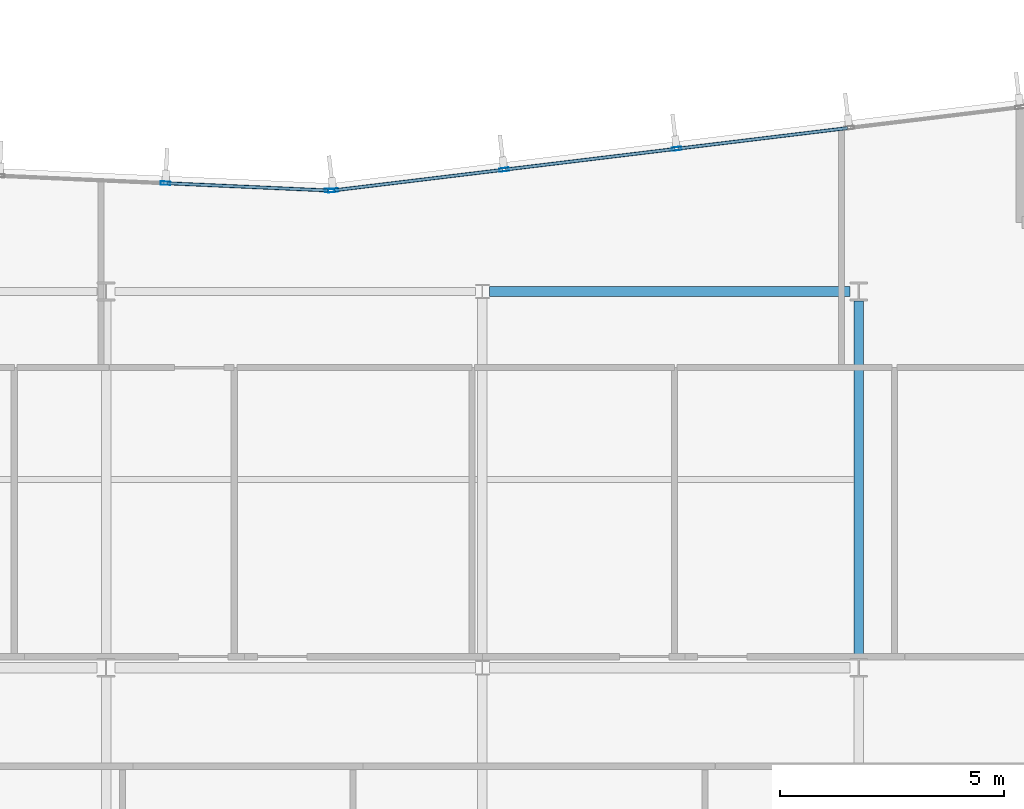
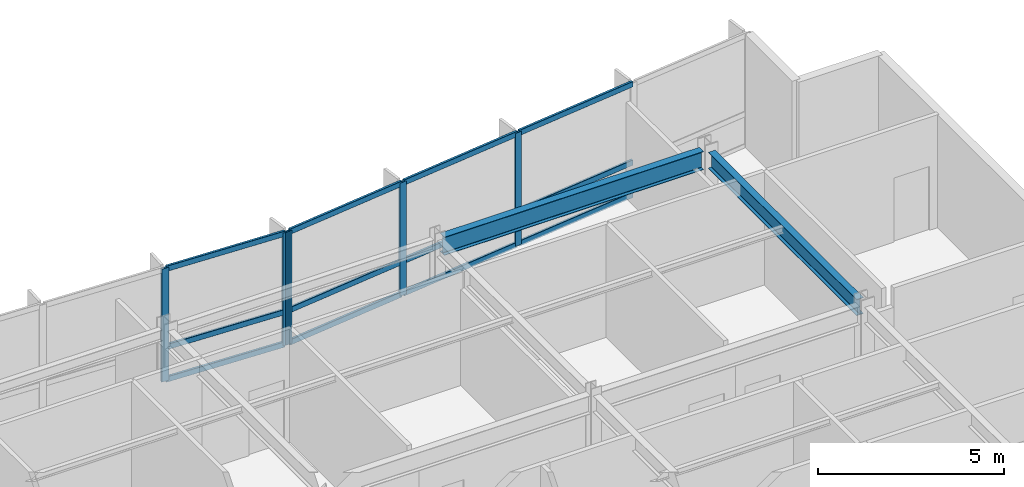
# One storey, part 6 of 17: 17 members, 2 beams, 2 elements without a shape of their own.
"""IFC4 building model written with IfcOpenShell, lengths in metres."""

from ifc_helpers import new_model, si_unit, direction, frame, origin, origin_2d, place, context, subcontext, project, spatial, hollow_rectangle, i_section, extrude, material, layer, layer_set, material_profile, profile_set, type_object, element, aggregate, save


model = new_model("IFC4")

# Units and contexts
model_context = context("Model", 3, precision=1e-05, world=origin(), true_north=direction((0.0, 1.0)))
body_context = subcontext(model_context, "Body", "Model", "MODEL_VIEW")
ifc_project = project(units=[si_unit("LENGTHUNIT", "METRE"), si_unit("AREAUNIT", "SQUARE_METRE"), si_unit("VOLUMEUNIT", "CUBIC_METRE"), si_unit("PLANEANGLEUNIT", "RADIAN"), si_unit("MASSUNIT", "GRAM", prefix="KILO")], contexts=[model_context])

# Site, building, storey
site_placement = place(None, origin())
site = spatial("IfcSite", under=ifc_project, at=site_placement, CompositionType="ELEMENT")
building_placement = place(site_placement, origin())
building = spatial("IfcBuilding", under=site, at=building_placement, Name="Varnakote Quay Hospital", CompositionType="ELEMENT")
storey_placement = place(building_placement, frame((0.0, 0.0, 134.949951171875)))
storey = spatial("IfcBuildingStorey", under=building, at=storey_placement, Name="L33", CompositionType="ELEMENT", Elevation=134.949951171875)

# Beams
ifc_material_1 = material(Name="Structural steel AS/NZS 3679.1 Grade 350 L0 (fy 340 MPa)", Category="steel")
ifc_material_profile_1 = material_profile(ifc_material_1, i_section(OverallWidth=0.208984375, OverallDepth=0.532958984375, WebThickness=0.01025390625, FlangeThickness=0.015625, FilletRadius=0.013916015625, at=origin_2d()), Name="530UB92.4")
ifc_profile_set_1 = profile_set([ifc_material_profile_1], Name="Structural steel AS/NZS 3679.1 Grade 350 L0 (fy 340 MPa)")
beam_type_1 = type_object("IfcBeamType", Name="BM-STL-530UB92-4", PredefinedType="BEAM", material=ifc_profile_set_1)
beam_1_placement = place(storey_placement, frame((50.39990234375, 20.610107421875, 3.443603515625), z_axis=(0.0, 1.0, 0.0), x_axis=(-1.0, 0.0, 0.0)))
element("IfcBeam", 1, at=beam_1_placement, inside=storey, type_object=beam_type_1, Name="L33 Primary Tie Beam", PredefinedType="BEAM", context=body_context, shape_type="SweptSolid", body=[
    extrude(i_section(OverallWidth=0.208984375, OverallDepth=0.532958984375, WebThickness=0.01025390625, FlangeThickness=0.015625, FilletRadius=0.013916015625, at=origin_2d()), origin(), (0.0, 0.0, 1.0), 7.97998046875),
])
ifc_material_2 = material(Name="Structural steel AS/NZS 3679.1 Grade 350 L0 (fy 340 MPa)", Category="steel")
ifc_material_profile_2 = material_profile(ifc_material_2, i_section(OverallWidth=0.22802734375, OverallDepth=0.60205078125, WebThickness=0.010498046875, FlangeThickness=0.014892578125, FilletRadius=0.013916015625, at=origin_2d()), Name="610UB101")
ifc_profile_set_2 = profile_set([ifc_material_profile_2], Name="Structural steel AS/NZS 3679.1 Grade 350 L0 (fy 340 MPa)")
beam_type_2 = type_object("IfcBeamType", Name="BM-STL-610UB101", PredefinedType="BEAM", material=ifc_profile_set_2)
beam_2_placement = place(storey_placement, frame((42.154541015625, 28.800048828125, 3.408935546875), z_axis=(1.0, 0.0, 0.0), x_axis=(0.0, 1.0, 0.0)))
element("IfcBeam", 2, at=beam_2_placement, inside=storey, type_object=beam_type_2, Name="L33 Primary Floor Beam", PredefinedType="BEAM", context=body_context, shape_type="SweptSolid", body=[
    extrude(i_section(OverallWidth=0.22802734375, OverallDepth=0.60205078125, WebThickness=0.010498046875, FlangeThickness=0.014892578125, FilletRadius=0.013916015625, at=origin_2d()), origin(), (0.0, 0.0, 1.0), 8.04541015625),
])

# Curtain wall, members
ifc_material_3 = material(Name="Anodised aluminium 6063-T6 Bronze", Category="aluminium")
ifc_layer = layer(ifc_material_3, 0.205078125)
ifc_layer_set = layer_set([ifc_layer], Name="Anodised aluminium 6063-T6 Bronze")
curtain_wall_type = type_object("IfcCurtainWallType", Name="CW-SYS-3", PredefinedType="NOTDEFINED", material=ifc_layer_set)
curtain_wall_1_placement = place(storey_placement, origin())
curtain_wall_1 = element("IfcCurtainWall", 3, at=curtain_wall_1_placement, inside=storey, type_object=curtain_wall_type, Name="L33 Unitised Bronze Curtain Wall 1", PredefinedType="NOTDEFINED")
ifc_material_4 = material(Name="Anodised aluminium 6063-T6 Bronze", Category="aluminium")
ifc_material_profile_3 = material_profile(ifc_material_4, hollow_rectangle(XDim=0.074951171875, YDim=0.219970703125, WallThickness=0.00439453125, InnerFilletRadius=0.00439453125, OuterFilletRadius=0.009033203125, at=origin_2d()), Name="CW-MULL-220x75")
ifc_profile_set_3 = profile_set([ifc_material_profile_3], Name="Anodised aluminium 6063-T6 Bronze")
member_type_1 = type_object("IfcMemberType", Name="CW-MULL-220x75", PredefinedType="MULLION", material=ifc_profile_set_3)
member_1_placement = place(storey_placement, frame((46.3349609375, 31.985595703125, 0.0), z_axis=(0.0, 0.0, 1.0), x_axis=(0.12032713492, -0.992734295067, 0.0)))
member_1 = element("IfcMember", 4, at=member_1_placement, type_object=member_type_1, Name="-3-L33-1 mullion 3", PredefinedType="MULLION", context=body_context, shape_type="SweptSolid", body=[
    extrude(hollow_rectangle(XDim=0.074951171875, YDim=0.219970703125, WallThickness=0.00439453125, InnerFilletRadius=0.00439453125, OuterFilletRadius=0.009033203125, at=origin_2d()), origin(), (0.0, 0.0, 1.0), 3.7099609375),
])
member_2_placement = place(storey_placement, frame((42.482666015625, 31.5185546875, 0.0), z_axis=(0.0, 0.0, 1.0), x_axis=(0.12032713492, -0.992734295067, 0.0)))
member_2 = element("IfcMember", 5, at=member_2_placement, type_object=member_type_1, Name="-3-L33-1 mullion 4", PredefinedType="MULLION", context=body_context, shape_type="SweptSolid", body=[
    extrude(hollow_rectangle(XDim=0.074951171875, YDim=0.219970703125, WallThickness=0.00439453125, InnerFilletRadius=0.00439453125, OuterFilletRadius=0.009033203125, at=origin_2d()), origin(), (0.0, 0.0, 1.0), 3.7099609375),
])
member_3_placement = place(storey_placement, frame((38.667236328125, 31.05615234375, 0.0), z_axis=(0.0, 0.0, 1.0), x_axis=(0.12032713492, -0.992734295067, 0.0)))
member_3 = element("IfcMember", 6, at=member_3_placement, type_object=member_type_1, Name="-3-L33-1 mullion 5", PredefinedType="MULLION", context=body_context, shape_type="SweptSolid", body=[
    extrude(hollow_rectangle(XDim=0.074951171875, YDim=0.219970703125, WallThickness=0.00439453125, InnerFilletRadius=0.00439453125, OuterFilletRadius=0.009033203125, at=origin_2d()), origin(), (0.0, 0.0, 1.0), 3.7099609375),
])

curtain_wall_2_placement = place(storey_placement, origin())
curtain_wall_2 = element("IfcCurtainWall", 7, at=curtain_wall_2_placement, inside=storey, type_object=curtain_wall_type, Name="L33 Unitised Bronze Curtain Wall 2", PredefinedType="NOTDEFINED")
member_4_placement = place(storey_placement, frame((38.592529296875, 31.05322265625, 0.0), z_axis=(0.0, 0.0, 1.0), x_axis=(-0.044782334659, -0.998996768014, 0.0)))
member_4 = element("IfcMember", 8, at=member_4_placement, type_object=member_type_1, Name="-3-L33-2 mullion 1", PredefinedType="MULLION", context=body_context, shape_type="SweptSolid", body=[
    extrude(hollow_rectangle(XDim=0.074951171875, YDim=0.219970703125, WallThickness=0.00439453125, InnerFilletRadius=0.00439453125, OuterFilletRadius=0.009033203125, at=origin_2d()), origin(), (0.0, 0.0, 1.0), 3.7099609375),
])
member_5_placement = place(storey_placement, frame((34.927001953125, 31.217529296875, 0.0), z_axis=(0.0, 0.0, 1.0), x_axis=(-0.044782334659, -0.998996768014, 0.0)))
member_5 = element("IfcMember", 9, at=member_5_placement, type_object=member_type_1, Name="-3-L33-2 mullion 2", PredefinedType="MULLION", context=body_context, shape_type="SweptSolid", body=[
    extrude(hollow_rectangle(XDim=0.074951171875, YDim=0.219970703125, WallThickness=0.00439453125, InnerFilletRadius=0.00439453125, OuterFilletRadius=0.009033203125, at=origin_2d()), origin(), (0.0, 0.0, 1.0), 3.7099609375),
])

# Member
ifc_material_5 = material(Name="Anodised aluminium 6063-T6 Bronze", Category="aluminium")
ifc_material_profile_4 = material_profile(ifc_material_5, hollow_rectangle(XDim=0.074951171875, YDim=0.179931640625, WallThickness=0.004150390625, InnerFilletRadius=0.004150390625, OuterFilletRadius=0.00830078125, at=origin_2d()), Name="CW-TRAN-180x75")
ifc_profile_set_4 = profile_set([ifc_material_profile_4], Name="Anodised aluminium 6063-T6 Bronze")
member_type_2 = type_object("IfcMemberType", Name="CW-TRAN-180x75", PredefinedType="USERDEFINED", material=ifc_profile_set_4)
member_6_placement = place(storey_placement, frame((50.150390625, 32.447998046875, 0.03759765625), z_axis=(-0.992731924158, -0.120346694005, 0.0), x_axis=(0.120346694005, -0.992731924158, 0.0)))
member_6 = element("IfcMember", 10, at=member_6_placement, type_object=member_type_2, Name="-3-L33-1 transom 2.1", ObjectType="TRANSOM", PredefinedType="USERDEFINED", context=body_context, shape_type="SweptSolid", body=[
    extrude(hollow_rectangle(XDim=0.074951171875, YDim=0.179931640625, WallThickness=0.004150390625, InnerFilletRadius=0.004150390625, OuterFilletRadius=0.00830078125, at=origin_2d()), origin(), (0.0, 0.0, 1.0), 3.8056640625),
])

member_7_placement = place(storey_placement, frame((50.150390625, 32.447998046875, 1.10009765625), z_axis=(-0.992731924158, -0.120346694005, 0.0), x_axis=(0.120346694005, -0.992731924158, 0.0)))
member_7 = element("IfcMember", 11, at=member_7_placement, type_object=member_type_2, Name="-3-L33-1 transom 2.2", ObjectType="TRANSOM", PredefinedType="USERDEFINED", context=body_context, shape_type="SweptSolid", body=[
    extrude(hollow_rectangle(XDim=0.074951171875, YDim=0.179931640625, WallThickness=0.004150390625, InnerFilletRadius=0.004150390625, OuterFilletRadius=0.00830078125, at=origin_2d()), origin(), (0.0, 0.0, 1.0), 3.8056640625),
])

member_8_placement = place(storey_placement, frame((50.150390625, 32.447998046875, 3.672607421875), z_axis=(-0.992731924158, -0.120346694005, 0.0), x_axis=(0.120346694005, -0.992731924158, 0.0)))
member_8 = element("IfcMember", 12, at=member_8_placement, type_object=member_type_2, Name="-3-L33-1 transom 2.3", ObjectType="TRANSOM", PredefinedType="USERDEFINED", context=body_context, shape_type="SweptSolid", body=[
    extrude(hollow_rectangle(XDim=0.074951171875, YDim=0.179931640625, WallThickness=0.004150390625, InnerFilletRadius=0.004150390625, OuterFilletRadius=0.00830078125, at=origin_2d()), origin(), (0.0, 0.0, 1.0), 3.8056640625),
])

member_9_placement = place(storey_placement, frame((46.2978515625, 31.98095703125, 0.03759765625), z_axis=(-0.992731924158, -0.120346694005, 0.0), x_axis=(0.120346694005, -0.992731924158, 0.0)))
member_9 = element("IfcMember", 13, at=member_9_placement, type_object=member_type_2, Name="-3-L33-1 transom 3.1", ObjectType="TRANSOM", PredefinedType="USERDEFINED", context=body_context, shape_type="SweptSolid", body=[
    extrude(hollow_rectangle(XDim=0.074951171875, YDim=0.179931640625, WallThickness=0.004150390625, InnerFilletRadius=0.004150390625, OuterFilletRadius=0.00830078125, at=origin_2d()), origin(), (0.0, 0.0, 1.0), 3.8056640625),
])

member_10_placement = place(storey_placement, frame((46.2978515625, 31.98095703125, 1.10009765625), z_axis=(-0.992731924158, -0.120346694005, 0.0), x_axis=(0.120346694005, -0.992731924158, 0.0)))
member_10 = element("IfcMember", 14, at=member_10_placement, type_object=member_type_2, Name="-3-L33-1 transom 3.2", ObjectType="TRANSOM", PredefinedType="USERDEFINED", context=body_context, shape_type="SweptSolid", body=[
    extrude(hollow_rectangle(XDim=0.074951171875, YDim=0.179931640625, WallThickness=0.004150390625, InnerFilletRadius=0.004150390625, OuterFilletRadius=0.00830078125, at=origin_2d()), origin(), (0.0, 0.0, 1.0), 3.8056640625),
])

member_11_placement = place(storey_placement, frame((46.2978515625, 31.98095703125, 3.672607421875), z_axis=(-0.992731924158, -0.120346694005, 0.0), x_axis=(0.120346694005, -0.992731924158, 0.0)))
member_11 = element("IfcMember", 15, at=member_11_placement, type_object=member_type_2, Name="-3-L33-1 transom 3.3", ObjectType="TRANSOM", PredefinedType="USERDEFINED", context=body_context, shape_type="SweptSolid", body=[
    extrude(hollow_rectangle(XDim=0.074951171875, YDim=0.179931640625, WallThickness=0.004150390625, InnerFilletRadius=0.004150390625, OuterFilletRadius=0.00830078125, at=origin_2d()), origin(), (0.0, 0.0, 1.0), 3.8056640625),
])

member_12_placement = place(storey_placement, frame((42.4453125, 31.513916015625, 0.03759765625), z_axis=(-0.992735423717, -0.120317822859, 0.0), x_axis=(0.120317822859, -0.992735423717, 0.0)))
member_12 = element("IfcMember", 16, at=member_12_placement, type_object=member_type_2, Name="-3-L33-1 transom 4.1", ObjectType="TRANSOM", PredefinedType="USERDEFINED", context=body_context, shape_type="SweptSolid", body=[
    extrude(hollow_rectangle(XDim=0.074951171875, YDim=0.179931640625, WallThickness=0.004150390625, InnerFilletRadius=0.004150390625, OuterFilletRadius=0.00830078125, at=origin_2d()), origin(), (0.0, 0.0, 1.0), 3.76806640625),
])

member_13_placement = place(storey_placement, frame((42.4453125, 31.513916015625, 1.10009765625), z_axis=(-0.992735423717, -0.120317822859, 0.0), x_axis=(0.120317822859, -0.992735423717, 0.0)))
member_13 = element("IfcMember", 17, at=member_13_placement, type_object=member_type_2, Name="-3-L33-1 transom 4.2", ObjectType="TRANSOM", PredefinedType="USERDEFINED", context=body_context, shape_type="SweptSolid", body=[
    extrude(hollow_rectangle(XDim=0.074951171875, YDim=0.179931640625, WallThickness=0.004150390625, InnerFilletRadius=0.004150390625, OuterFilletRadius=0.00830078125, at=origin_2d()), origin(), (0.0, 0.0, 1.0), 3.76806640625),
])

member_14_placement = place(storey_placement, frame((42.4453125, 31.513916015625, 3.672607421875), z_axis=(-0.992735423717, -0.120317822859, 0.0), x_axis=(0.120317822859, -0.992735423717, 0.0)))
member_14 = element("IfcMember", 18, at=member_14_placement, type_object=member_type_2, Name="-3-L33-1 transom 4.3", ObjectType="TRANSOM", PredefinedType="USERDEFINED", context=body_context, shape_type="SweptSolid", body=[
    extrude(hollow_rectangle(XDim=0.074951171875, YDim=0.179931640625, WallThickness=0.004150390625, InnerFilletRadius=0.004150390625, OuterFilletRadius=0.00830078125, at=origin_2d()), origin(), (0.0, 0.0, 1.0), 3.76806640625),
])

aggregate(curtain_wall_1, [member_1, member_2, member_3, member_6, member_7, member_8, member_9, member_10, member_11, member_12, member_13, member_14])

member_15_placement = place(storey_placement, frame((38.55517578125, 31.054931640625, 0.03759765625), z_axis=(-0.998997740237, 0.044760641203, 0.0), x_axis=(-0.044760641203, -0.998997740237, 0.0)))
member_15 = element("IfcMember", 19, at=member_15_placement, type_object=member_type_2, Name="-3-L33-2 transom 1.1", ObjectType="TRANSOM", PredefinedType="USERDEFINED", context=body_context, shape_type="SweptSolid", body=[
    extrude(hollow_rectangle(XDim=0.074951171875, YDim=0.179931640625, WallThickness=0.004150390625, InnerFilletRadius=0.004150390625, OuterFilletRadius=0.00830078125, at=origin_2d()), origin(), (0.0, 0.0, 1.0), 3.594482421875),
])

member_16_placement = place(storey_placement, frame((38.55517578125, 31.054931640625, 1.10009765625), z_axis=(-0.998997740237, 0.044760641203, 0.0), x_axis=(-0.044760641203, -0.998997740237, 0.0)))
member_16 = element("IfcMember", 20, at=member_16_placement, type_object=member_type_2, Name="-3-L33-2 transom 1.2", ObjectType="TRANSOM", PredefinedType="USERDEFINED", context=body_context, shape_type="SweptSolid", body=[
    extrude(hollow_rectangle(XDim=0.074951171875, YDim=0.179931640625, WallThickness=0.004150390625, InnerFilletRadius=0.004150390625, OuterFilletRadius=0.00830078125, at=origin_2d()), origin(), (0.0, 0.0, 1.0), 3.594482421875),
])

member_17_placement = place(storey_placement, frame((38.55517578125, 31.054931640625, 3.672607421875), z_axis=(-0.998997740237, 0.044760641203, 0.0), x_axis=(-0.044760641203, -0.998997740237, 0.0)))
member_17 = element("IfcMember", 21, at=member_17_placement, type_object=member_type_2, Name="-3-L33-2 transom 1.3", ObjectType="TRANSOM", PredefinedType="USERDEFINED", context=body_context, shape_type="SweptSolid", body=[
    extrude(hollow_rectangle(XDim=0.074951171875, YDim=0.179931640625, WallThickness=0.004150390625, InnerFilletRadius=0.004150390625, OuterFilletRadius=0.00830078125, at=origin_2d()), origin(), (0.0, 0.0, 1.0), 3.594482421875),
])

aggregate(curtain_wall_2, [member_4, member_5, member_15, member_16, member_17])

save(model, "model.ifc")
